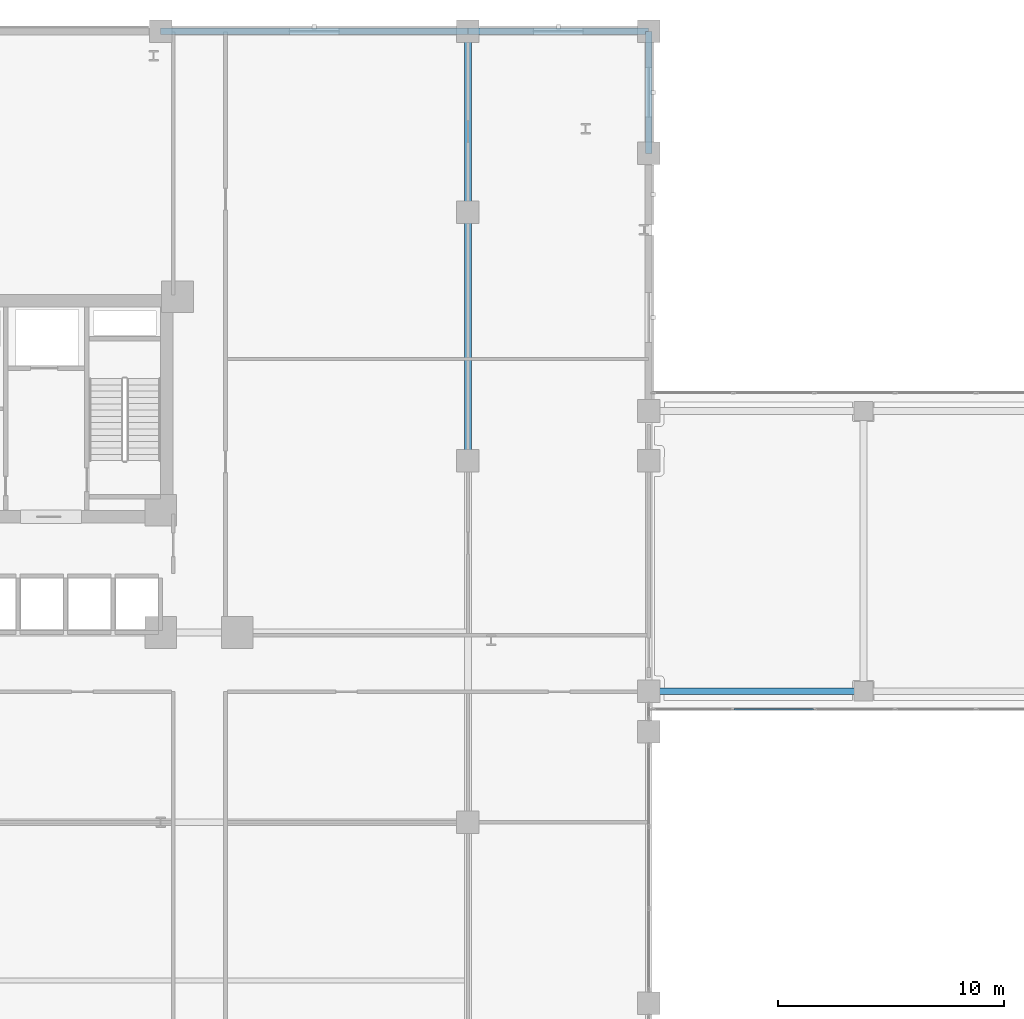
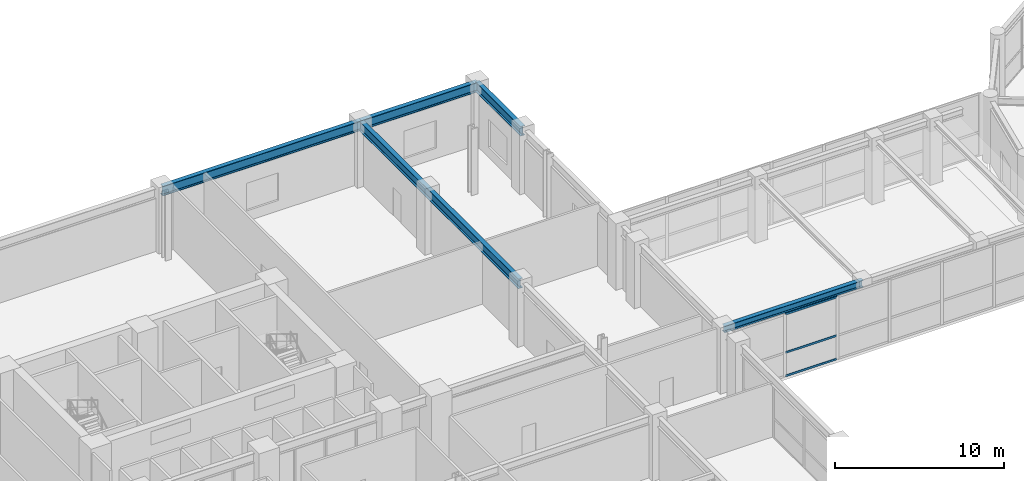
# One storey, part 20 of 48: 5 beams, 3 members, 1 element without a shape of its own.
"""IFC4 building model written with IfcOpenShell, lengths in metres."""

from ifc_helpers import new_model, si_unit, derived_unit, direction, frame, origin, origin_2d, place, context, subcontext, project, spatial, hollow_rectangle, i_section, extrude, source, transform, mapped, material, layer, layer_set, material_profile, profile_set, type_object, element, aggregate, save


model = new_model("IFC4")

# Units and contexts
model_context = context("Model", 3, precision=1e-05, world=origin(), true_north=direction((0.0, 1.0)))
body_context = subcontext(model_context, "Body", "Model", "MODEL_VIEW")
ifc_project = project(units=[si_unit("LENGTHUNIT", "METRE"), si_unit("AREAUNIT", "SQUARE_METRE"), si_unit("VOLUMEUNIT", "CUBIC_METRE"), si_unit("PLANEANGLEUNIT", "RADIAN"), si_unit("MASSUNIT", "GRAM", prefix="KILO"), derived_unit("THERMALTRANSMITTANCEUNIT", [(si_unit("POWERUNIT", "WATT"), 1), (si_unit("LENGTHUNIT", "METRE"), -2), (si_unit("THERMODYNAMICTEMPERATUREUNIT", "KELVIN"), -1)])], contexts=[model_context])

# Site, building, storey
site_placement = place(None, origin())
site = spatial("IfcSite", under=ifc_project, at=site_placement, CompositionType="ELEMENT")
building_placement = place(site_placement, origin())
building = spatial("IfcBuilding", under=site, at=building_placement, Name="Korsvarv Bourse and Concert Hall", CompositionType="ELEMENT")
storey_placement = place(building_placement, frame((0.0, 0.0, 4.800048828125)))
storey = spatial("IfcBuildingStorey", under=building, at=storey_placement, Name="L01", CompositionType="ELEMENT", Elevation=4.800048828125)

# Beams
ifc_material_1 = material(Name="Steel S355", Category="steel")
ifc_material_profile_1 = material_profile(ifc_material_1, i_section(OverallWidth=0.300048828125, OverallDepth=0.489990234375, WebThickness=0.011962890625, FlangeThickness=0.02294921875, FilletRadius=0.02392578125, at=origin_2d()), Name="HEA 500")
ifc_profile_set_1 = profile_set([ifc_material_profile_1], Name="Steel S355")
beam_type_1 = type_object("IfcBeamType", Name="BM-HEA500", PredefinedType="BEAM", material=ifc_profile_set_1)
shared_shape_1 = source(origin(), body_context, "Body", "SweptSolid", [
    extrude(i_section(OverallWidth=0.300048828125, OverallDepth=0.489990234375, WebThickness=0.011962890625, FlangeThickness=0.02294921875, FilletRadius=0.02392578125, at=origin_2d()), origin(), (0.0, 0.0, 1.0), 9.5),
])
beam_1_placement = place(storey_placement, frame((66.0, 29.800048828125, 4.294921875), z_axis=(1.0, 0.0, 0.0), x_axis=(0.0, 1.0, 0.0)))
element("IfcBeam", 1, at=beam_1_placement, inside=storey, type_object=beam_type_1, Name="L01 beam B-10", PredefinedType="BEAM", context=body_context, shape_type="MappedRepresentation", body=[
    mapped(shared_shape_1, transform((0.0, 0.0, 0.0), scale=1.0)),
])
ifc_material_profile_2 = material_profile(ifc_material_1, i_section(OverallWidth=0.300048828125, OverallDepth=0.699951171875, WebThickness=0.01708984375, FlangeThickness=0.031982421875, FilletRadius=0.027099609375, at=origin_2d()), Name="HEB 700")
ifc_profile_set_2 = profile_set([ifc_material_profile_2], Name="Steel S355")
beam_type_2 = type_object("IfcBeamType", Name="BM-HEB700", PredefinedType="BEAM", material=ifc_profile_set_2)
shared_shape_2 = source(origin(), body_context, "Body", "SweptSolid", [
    extrude(i_section(OverallWidth=0.300048828125, OverallDepth=0.699951171875, WebThickness=0.01708984375, FlangeThickness=0.031982421875, FilletRadius=0.027099609375, at=origin_2d()), origin(), (0.0, 0.0, 1.0), 13.60009765625),
])
beam_2_placement = place(storey_placement, frame((44.39990234375, 59.0, 4.169921875), z_axis=(1.0, 0.0, 0.0), x_axis=(0.0, 1.0, 0.0)))
element("IfcBeam", 2, at=beam_2_placement, inside=storey, type_object=beam_type_2, Name="L01 beam B-03", PredefinedType="BEAM", context=body_context, shape_type="MappedRepresentation", body=[
    mapped(shared_shape_2, transform((0.0, 0.0, 0.0), scale=1.0)),
])
shared_shape_3 = source(origin(), body_context, "Body", "SweptSolid", [
    extrude(i_section(OverallWidth=0.300048828125, OverallDepth=0.699951171875, WebThickness=0.01708984375, FlangeThickness=0.031982421875, FilletRadius=0.027099609375, at=origin_2d()), origin(), (0.0, 0.0, 1.0), 5.39990234375),
])
beam_3_placement = place(storey_placement, frame((66.0, 53.60009765625, 4.169921875), z_axis=(0.0, 1.0, 0.0), x_axis=(-1.0, 0.0, 0.0)))
element("IfcBeam", 3, at=beam_3_placement, inside=storey, type_object=beam_type_2, Name="L01 beam B-03", PredefinedType="BEAM", context=body_context, shape_type="MappedRepresentation", body=[
    mapped(shared_shape_3, transform((0.0, 0.0, 0.0), scale=1.0)),
])
shared_shape_4 = source(origin(), body_context, "Body", "SweptSolid", [
    extrude(i_section(OverallWidth=0.300048828125, OverallDepth=0.699951171875, WebThickness=0.01708984375, FlangeThickness=0.031982421875, FilletRadius=0.027099609375, at=origin_2d()), origin(), (0.0, 0.0, 1.0), 8.0),
])
beam_4_placement = place(storey_placement, frame((58.0, 59.0, 4.169921875), z_axis=(1.0, 0.0, 0.0), x_axis=(0.0, 1.0, 0.0)))
element("IfcBeam", 4, at=beam_4_placement, inside=storey, type_object=beam_type_2, Name="L01 beam B-03", PredefinedType="BEAM", context=body_context, shape_type="MappedRepresentation", body=[
    mapped(shared_shape_4, transform((0.0, 0.0, 0.0), scale=1.0)),
])
shared_shape_5 = source(origin(), body_context, "Body", "SweptSolid", [
    extrude(i_section(OverallWidth=0.300048828125, OverallDepth=0.699951171875, WebThickness=0.01708984375, FlangeThickness=0.031982421875, FilletRadius=0.027099609375, at=origin_2d()), origin(), (0.0, 0.0, 1.0), 19.0),
])
beam_5_placement = place(storey_placement, frame((58.0, 40.0, 4.169921875), z_axis=(0.0, 1.0, 0.0), x_axis=(-1.0, 0.0, 0.0)))
element("IfcBeam", 5, at=beam_5_placement, inside=storey, type_object=beam_type_2, Name="L01 beam B-03", PredefinedType="BEAM", context=body_context, shape_type="MappedRepresentation", body=[
    mapped(shared_shape_5, transform((0.0, 0.0, 0.0), scale=1.0)),
])

# Curtain wall, members
ifc_material_2 = material(Name="Anodised aluminium and triple low-E glazing", Category="glass")
ifc_layer = layer(ifc_material_2, 0.239990234375)
ifc_layer_set = layer_set([ifc_layer], Name="Anodised aluminium and triple low-E glazing")
curtain_wall_type = type_object("IfcCurtainWallType", Name="CW-SYS-5", PredefinedType="NOTDEFINED", material=ifc_layer_set)
curtain_wall_placement = place(storey_placement, origin())
curtain_wall = element("IfcCurtainWall", 6, at=curtain_wall_placement, inside=storey, type_object=curtain_wall_type, Name="L01 CW5 curtain wall CW-L01-LKS", PredefinedType="NOTDEFINED")
ifc_material_3 = material(Name="Extruded aluminium EN AW-6063 T66", Category="aluminium")
ifc_material_profile_3 = material_profile(ifc_material_3, hollow_rectangle(XDim=0.06494140625, YDim=0.139892578125, WallThickness=0.00390625, at=origin_2d()), Name="ALU-T 65x140")
ifc_profile_set_3 = profile_set([ifc_material_profile_3], Name="Extruded aluminium EN AW-6063 T66")
member_type = type_object("IfcMemberType", Name="CWT-140", PredefinedType="USERDEFINED", material=ifc_profile_set_3)
shared_shape_6 = source(origin(), body_context, "Body", "SweptSolid", [
    extrude(hollow_rectangle(XDim=0.06494140625, YDim=0.139892578125, WallThickness=0.00390625, at=origin_2d()), origin(), (0.0, 0.0, 1.0), 3.510009765625),
])
member_1_placement = place(storey_placement, frame((69.77490234375, 29.0, 0.032470703125), z_axis=(1.0, 0.0, 0.0), x_axis=(0.0, 1.0, 0.0)))
member_1 = element("IfcMember", 7, at=member_1_placement, type_object=member_type, Name="CW5 transom 2.1", ObjectType="TRANSOM", PredefinedType="USERDEFINED", context=body_context, shape_type="MappedRepresentation", body=[
    mapped(shared_shape_6, transform((0.0, 0.0, 0.0), scale=1.0)),
])
member_2_placement = place(storey_placement, frame((69.77490234375, 29.0, 1.72509765625), z_axis=(1.0, 0.0, 0.0), x_axis=(0.0, 1.0, 0.0)))
member_2 = element("IfcMember", 8, at=member_2_placement, type_object=member_type, Name="CW5 transom 2.2", ObjectType="TRANSOM", PredefinedType="USERDEFINED", context=body_context, shape_type="MappedRepresentation", body=[
    mapped(shared_shape_6, transform((0.0, 0.0, 0.0), scale=1.0)),
])
member_3_placement = place(storey_placement, frame((69.77490234375, 29.0, 4.507568359375), z_axis=(1.0, 0.0, 0.0), x_axis=(0.0, 1.0, 0.0)))
member_3 = element("IfcMember", 9, at=member_3_placement, type_object=member_type, Name="CW5 transom 2.3", ObjectType="TRANSOM", PredefinedType="USERDEFINED", context=body_context, shape_type="MappedRepresentation", body=[
    mapped(shared_shape_6, transform((0.0, 0.0, 0.0), scale=1.0)),
])
aggregate(curtain_wall, [member_1, member_2, member_3])

save(model, "model.ifc")
